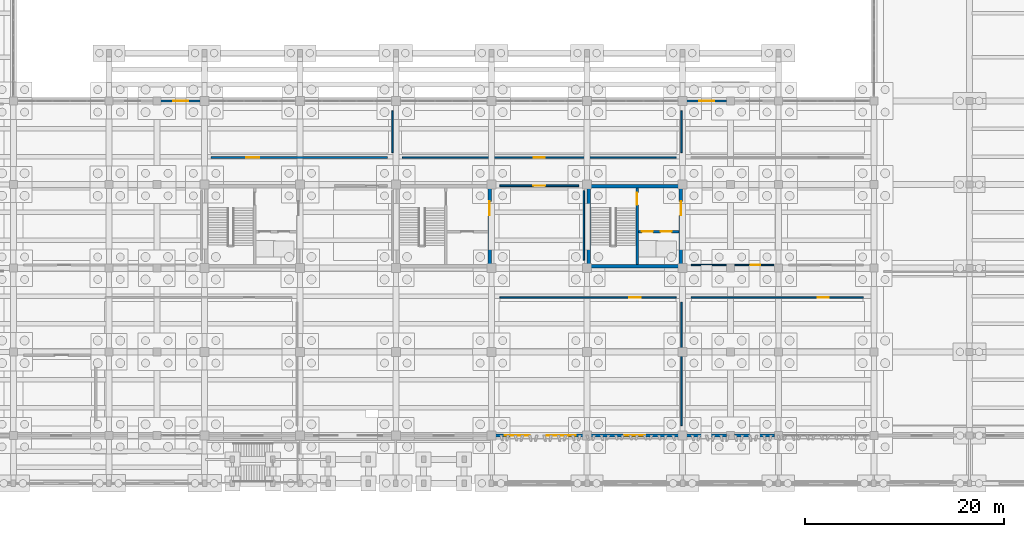
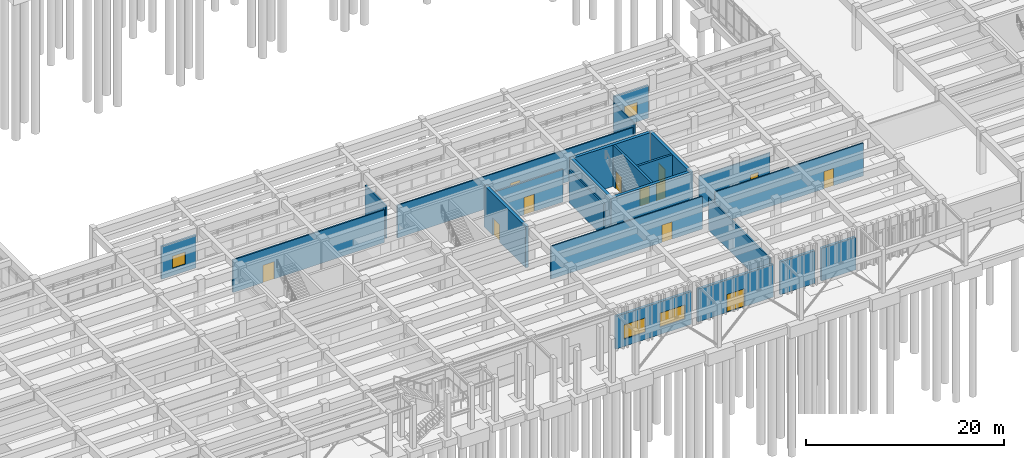
# One storey, part 78 of 102: 23 walls, 12 doors, 4 windows, 16 openings.
"""IFC4 building model written with IfcOpenShell, lengths in metres."""

from ifc_helpers import new_model, si_unit, direction, frame, frame_2d, origin, place, context, subcontext, project, spatial, rectangle, extrude, material, layer, layer_set, type_object, element, fill, save


model = new_model("IFC4")

# Units and contexts
model_context = context("Model", 3, precision=1e-05, world=origin(), true_north=direction((0.0, 1.0)))
body_context = subcontext(model_context, "Body", "Model", "MODEL_VIEW")
ifc_project = project(units=[si_unit("LENGTHUNIT", "METRE"), si_unit("AREAUNIT", "SQUARE_METRE"), si_unit("VOLUMEUNIT", "CUBIC_METRE"), si_unit("PLANEANGLEUNIT", "RADIAN"), si_unit("MASSUNIT", "GRAM", prefix="KILO")], contexts=[model_context])

# Site, building, storey
site_placement = place(None, origin())
site = spatial("IfcSite", under=ifc_project, at=site_placement, CompositionType="ELEMENT")
building_placement = place(site_placement, origin())
building = spatial("IfcBuilding", under=site, at=building_placement, Name="Kolvemor Railside Polytechnic", CompositionType="ELEMENT")
storey_placement = place(building_placement, origin())
storey = spatial("IfcBuildingStorey", under=building, at=storey_placement, Name="L00", CompositionType="ELEMENT", Elevation=0.0)

# Walls
ifc_material_1 = material(Name="Concrete C40/50", Category="concrete")
ifc_layer_1 = layer(ifc_material_1, 0.35009765625, Name="WL-CORE-350")
ifc_layer_set_1 = layer_set([ifc_layer_1], Name="Concrete C40/50")
wall_type_1 = type_object("IfcWallType", Name="WL-CORE-350", PredefinedType="SHEAR", material=ifc_layer_set_1)
for number, where, z_axis, x_axis, name in (
    (1, (105.60009765625, 29.824951171875, 0.0), (0.0, 0.0, 1.0), (1.0, 0.0, 0.0), "CORE-2 North Core Wall L00"),
    (2, (105.60009765625, 21.77490234375, 0.0), (0.0, 0.0, 1.0), (1.0, 0.0, 0.0), "CORE-2 South Core Wall L00"),
):
    element("IfcWall", number, at=place(storey_placement, frame(where, z_axis=z_axis, x_axis=x_axis)), inside=storey, type_object=wall_type_1, Name=name, PredefinedType="SHEAR", context=body_context, shape_type="SweptSolid", body=[
        extrude(rectangle(XDim=9.599853515625, YDim=0.35009765625, at=frame_2d((4.7998046875, 0.0))), origin(), (0.0, 0.0, 1.0), 5.110107421875),
    ])
wall_1_placement = place(storey_placement, frame((105.77490234375, 21.60009765625, 0.0), z_axis=(0.0, 0.0, 1.0), x_axis=(0.0, 1.0, 0.0)))
element("IfcWall", 3, at=wall_1_placement, inside=storey, type_object=wall_type_1, Name="CORE-2 West Core Wall L00", PredefinedType="SHEAR", context=body_context, shape_type="SweptSolid", body=[
    extrude(rectangle(XDim=8.39990234375, YDim=0.35009765625, at=frame_2d((4.199951171875, 0.0))), origin(), (0.0, 0.0, 1.0), 5.110107421875),
])

# Wall, opening, door
wall_2_placement = place(storey_placement, frame((115.02490234375, 21.60009765625, 0.0), z_axis=(0.0, 0.0, 1.0), x_axis=(0.0, 1.0, 0.0)))
wall_2 = element("IfcWall", 4, at=wall_2_placement, inside=storey, type_object=wall_type_1, Name="CORE-2 East Core Wall L00", PredefinedType="SHEAR", context=body_context, shape_type="SweptSolid", body=[
    extrude(rectangle(XDim=8.39990234375, YDim=0.35009765625, at=frame_2d((4.199951171875, 0.0))), origin(), (0.0, 0.0, 1.0), 5.110107421875),
])
opening_1_placement = place(wall_2_placement, frame((5.300048828125, 0.0, 0.0)))
opening_1 = element("IfcOpeningElement", 5, at=opening_1_placement, cuts=wall_2, Name="Opening D-LOB-2-L00", PredefinedType="OPENING", context=body_context, shape_type="SweptSolid", body=[
    extrude(rectangle(XDim=1.39990234375, YDim=2.14990234375, at=frame_2d((0.699951171875, 1.074951171875))), frame((0.0, 0.18505859375, 0.0), z_axis=(0.0, -1.0, 0.0), x_axis=(1.0, 0.0, 0.0)), (0.0, 0.0, 1.0), 0.3701171875),
])
ifc_material_2 = material(Name="Fire-rated hardwood and brushed stainless-steel door", Category="steel")
door_type_1 = type_object("IfcDoorType", Name="DR-FD60-140x215", OperationType="NOTDEFINED", PredefinedType="DOOR", material=ifc_material_2)
door_1_placement = place(opening_1_placement, origin())
door_1 = element("IfcDoor", 6, at=door_1_placement, inside=storey, type_object=door_type_1, Name="Core Lobby Fire Door CORE-2 L00", OperationType="SINGLE_SWING_LEFT", OverallHeight=2.14990234375, OverallWidth=1.39990234375, PredefinedType="DOOR", context=body_context, shape_type="SweptSolid", body=[
    extrude(rectangle(XDim=1.39990234375, YDim=2.14990234375, at=frame_2d((0.699951171875, 1.074951171875))), frame((0.0, 0.02490234375, 0.0), z_axis=(0.0, -1.0, 0.0), x_axis=(1.0, 0.0, 0.0)), (0.0, 0.0, 1.0), 0.050048828125),
])
fill(opening_1, door_1)

wall_3_placement = place(storey_placement, frame((95.824951171875, 21.60009765625, 0.0), z_axis=(0.0, 0.0, 1.0), x_axis=(0.0, 1.0, 0.0)))
wall_3 = element("IfcWall", 7, at=wall_3_placement, inside=storey, type_object=wall_type_1, Name="CORE-3 East Core Wall L00", PredefinedType="SHEAR", context=body_context, shape_type="SweptSolid", body=[
    extrude(rectangle(XDim=8.39990234375, YDim=0.35009765625, at=frame_2d((4.199951171875, 0.0))), origin(), (0.0, 0.0, 1.0), 5.110107421875),
])
opening_2_placement = place(wall_3_placement, frame((5.300048828125, 0.0, 0.0)))
opening_2 = element("IfcOpeningElement", 8, at=opening_2_placement, cuts=wall_3, Name="Opening D-LOB-3-L00", PredefinedType="OPENING", context=body_context, shape_type="SweptSolid", body=[
    extrude(rectangle(XDim=1.39990234375, YDim=2.14990234375, at=frame_2d((0.699951171875, 1.074951171875))), frame((0.0, 0.18505859375, 0.0), z_axis=(0.0, -1.0, 0.0), x_axis=(1.0, 0.0, 0.0)), (0.0, 0.0, 1.0), 0.3701171875),
])
door_2_placement = place(opening_2_placement, origin())
door_2 = element("IfcDoor", 9, at=door_2_placement, inside=storey, type_object=door_type_1, Name="Core Lobby Fire Door CORE-3 L00", OperationType="SINGLE_SWING_LEFT", OverallHeight=2.14990234375, OverallWidth=1.39990234375, PredefinedType="DOOR", context=body_context, shape_type="SweptSolid", body=[
    extrude(rectangle(XDim=1.39990234375, YDim=2.14990234375, at=frame_2d((0.699951171875, 1.074951171875))), frame((0.0, 0.02490234375, 0.0), z_axis=(0.0, -1.0, 0.0), x_axis=(1.0, 0.0, 0.0)), (0.0, 0.0, 1.0), 0.050048828125),
])
fill(opening_2, door_2)

# Wall, openings, windows
ifc_material_3 = material(Name="Concrete C40/50", Category="concrete")
ifc_layer_2 = layer(ifc_material_3, 0.300048828125, Name="WL-EXT-RC-300")
ifc_layer_set_2 = layer_set([ifc_layer_2], Name="Concrete C40/50")
wall_type_2 = type_object("IfcWallType", Name="WL-EXT-RC-300", PredefinedType="SOLIDWALL", material=ifc_layer_set_2)
wall_4_placement = place(storey_placement, frame((96.3798828125, 4.800048828125, 0.0), z_axis=(0.0, 0.0, 1.0), x_axis=(1.0, 0.0, 0.0)))
wall_4 = element("IfcWall", 10, at=wall_4_placement, inside=storey, type_object=wall_type_2, Name="Exterior Wall L00-0096", PredefinedType="SOLIDWALL", context=body_context, shape_type="SweptSolid", body=[
    extrude(rectangle(XDim=8.840087890625, YDim=0.300048828125, at=frame_2d((4.419921875, 0.0))), origin(), (0.0, 0.0, 1.0), 4.0400390625),
])
opening_3_placement = place(wall_4_placement, frame((0.93505859375, 0.0, 0.89990234375)))
opening_3 = element("IfcOpeningElement", 11, at=opening_3_placement, cuts=wall_4, Name="Opening WN-M13", PredefinedType="OPENING", context=body_context, shape_type="SweptSolid", body=[
    extrude(rectangle(XDim=2.550048828125, YDim=1.75, at=frame_2d((1.27490234375, 0.875))), frame((0.0, 0.159912109375, 0.0), z_axis=(0.0, -1.0, 0.0), x_axis=(1.0, 0.0, 0.0)), (0.0, 0.0, 1.0), 0.320068359375),
])
opening_4_placement = place(wall_4_placement, frame((5.179931640625, 0.0, 0.89990234375)))
opening_4 = element("IfcOpeningElement", 12, at=opening_4_placement, cuts=wall_4, Name="Opening WN-M24", PredefinedType="OPENING", context=body_context, shape_type="SweptSolid", body=[
    extrude(rectangle(XDim=2.89990234375, YDim=1.75, at=frame_2d((1.449951171875, 0.875))), frame((0.0, 0.159912109375, 0.0), z_axis=(0.0, -1.0, 0.0), x_axis=(1.0, 0.0, 0.0)), (0.0, 0.0, 1.0), 0.320068359375),
])
ifc_material_4 = material(Name="Hurricane-laminated thermally broken aluminium window", Category="aluminium")
window_type_1 = type_object("IfcWindowType", Name="WN-MOD-255x175", PartitioningType="DOUBLE_PANEL_VERTICAL", PredefinedType="WINDOW", material=ifc_material_4)
window_1_placement = place(opening_3_placement, origin())
window_1 = element("IfcWindow", 13, at=window_1_placement, inside=storey, type_object=window_type_1, Name="Window L00-0098", OverallHeight=1.75, OverallWidth=2.550048828125, PartitioningType="SINGLE_PANEL", PredefinedType="WINDOW", context=body_context, shape_type="SweptSolid", body=[
    extrude(rectangle(XDim=2.550048828125, YDim=1.75, at=frame_2d((1.27490234375, 0.875))), frame((0.0, 0.030029296875, 0.0), z_axis=(0.0, -1.0, 0.0), x_axis=(1.0, 0.0, 0.0)), (0.0, 0.0, 1.0), 0.06005859375),
])
fill(opening_3, window_1)
ifc_material_5 = material(Name="Hurricane-laminated thermally broken aluminium window", Category="aluminium")
window_type_2 = type_object("IfcWindowType", Name="WN-MOD-290x175", PartitioningType="DOUBLE_PANEL_VERTICAL", PredefinedType="WINDOW", material=ifc_material_5)
window_2_placement = place(opening_4_placement, origin())
window_2 = element("IfcWindow", 14, at=window_2_placement, inside=storey, type_object=window_type_2, Name="Window L00-0099", OverallHeight=1.75, OverallWidth=2.89990234375, PartitioningType="SINGLE_PANEL", PredefinedType="WINDOW", context=body_context, shape_type="SweptSolid", body=[
    extrude(rectangle(XDim=2.89990234375, YDim=1.75, at=frame_2d((1.449951171875, 0.875))), frame((0.0, 0.030029296875, 0.0), z_axis=(0.0, -1.0, 0.0), x_axis=(1.0, 0.0, 0.0)), (0.0, 0.0, 1.0), 0.06005859375),
])
fill(opening_4, window_2)

# Wall, opening, door
wall_5_placement = place(storey_placement, frame((105.97998046875, 4.800048828125, 0.0), z_axis=(0.0, 0.0, 1.0), x_axis=(1.0, 0.0, 0.0)))
wall_5 = element("IfcWall", 15, at=wall_5_placement, inside=storey, type_object=wall_type_2, Name="Exterior Wall L00-0097", PredefinedType="SOLIDWALL", context=body_context, shape_type="SweptSolid", body=[
    extrude(rectangle(XDim=8.840087890625, YDim=0.300048828125, at=frame_2d((4.419921875, 0.0))), origin(), (0.0, 0.0, 1.0), 4.0400390625),
])
opening_5_placement = place(wall_5_placement, frame((3.3701171875, 0.0, 0.0)))
opening_5 = element("IfcOpeningElement", 16, at=opening_5_placement, cuts=wall_5, Name="Opening EX-14", PredefinedType="OPENING", context=body_context, shape_type="SweptSolid", body=[
    extrude(rectangle(XDim=2.10009765625, YDim=2.199951171875, at=frame_2d((1.050048828125, 1.10009765625))), frame((0.0, 0.159912109375, 0.0), z_axis=(0.0, -1.0, 0.0), x_axis=(1.0, 0.0, 0.0)), (0.0, 0.0, 1.0), 0.320068359375),
])
ifc_material_6 = material(Name="Marine-grade thermally broken aluminium and laminated glass door", Category="aluminium")
door_type_2 = type_object("IfcDoorType", Name="DR-EXIT-210x220", OperationType="NOTDEFINED", PredefinedType="DOOR", material=ifc_material_6)
door_3_placement = place(opening_5_placement, origin())
door_3 = element("IfcDoor", 17, at=door_3_placement, inside=storey, type_object=door_type_2, Name="Exterior Door EX-14", OperationType="SINGLE_SWING_RIGHT", OverallHeight=2.199951171875, OverallWidth=2.10009765625, PredefinedType="DOOR", context=body_context, shape_type="SweptSolid", body=[
    extrude(rectangle(XDim=2.10009765625, YDim=2.199951171875, at=frame_2d((1.050048828125, 1.10009765625))), frame((0.0, 0.02490234375, 0.0), z_axis=(0.0, -1.0, 0.0), x_axis=(1.0, 0.0, 0.0)), (0.0, 0.0, 1.0), 0.050048828125),
])
fill(opening_5, door_3)

# Walls
for number, where, z_axis, x_axis, name in (
    (18, (115.580078125, 4.800048828125, 0.0), (0.0, 0.0, 1.0), (1.0, 0.0, 0.0), "Exterior Wall L00-0098"),
    (19, (120.3798828125, 4.800048828125, 0.0), (0.0, 0.0, 1.0), (1.0, 0.0, 0.0), "Exterior Wall L00-0099"),
):
    element("IfcWall", number, at=place(storey_placement, frame(where, z_axis=z_axis, x_axis=x_axis)), inside=storey, type_object=wall_type_2, Name=name, PredefinedType="SOLIDWALL", context=body_context, shape_type="SweptSolid", body=[
        extrude(rectangle(XDim=4.0400390625, YDim=0.300048828125, at=frame_2d((2.02001953125, 0.0))), origin(), (0.0, 0.0, 1.0), 4.0400390625),
    ])

# Wall, opening, window
ifc_material_7 = material(Name="Cross-laminated timber CLT E1", Category="wood")
ifc_layer_3 = layer(ifc_material_7, 0.2099609375, Name="WL-EXT-TM-210")
ifc_layer_set_3 = layer_set([ifc_layer_3], Name="Cross-laminated timber CLT E1")
wall_type_3 = type_object("IfcWallType", Name="WL-EXT-TM-210", PredefinedType="SOLIDWALL", material=ifc_layer_set_3)
wall_6_placement = place(storey_placement, frame((66.820068359375, 38.39990234375, 0.0), z_axis=(0.0, 0.0, 1.0), x_axis=(-1.0, 0.0, 0.0)))
wall_6 = element("IfcWall", 20, at=wall_6_placement, inside=storey, type_object=wall_type_3, Name="Exterior Wall L00-0145", PredefinedType="SOLIDWALL", context=body_context, shape_type="SweptSolid", body=[
    extrude(rectangle(XDim=4.0400390625, YDim=0.2099609375, at=frame_2d((2.02001953125, 0.0))), origin(), (0.0, 0.0, 1.0), 4.0400390625),
])
opening_6_placement = place(wall_6_placement, frame((1.27001953125, 0.0, 0.89990234375)))
opening_6 = element("IfcOpeningElement", 21, at=opening_6_placement, cuts=wall_6, Name="Opening WN-LAB4", PredefinedType="OPENING", context=body_context, shape_type="SweptSolid", body=[
    extrude(rectangle(XDim=1.5, YDim=1.5, at=frame_2d((0.75, 0.75))), frame((0.0, 0.114990234375, 0.0), z_axis=(0.0, -1.0, 0.0), x_axis=(1.0, 0.0, 0.0)), (0.0, 0.0, 1.0), 0.22998046875),
])
ifc_material_8 = material(Name="Hurricane-laminated thermally broken aluminium window", Category="aluminium")
window_type_3 = type_object("IfcWindowType", Name="WN-LAB-150x150", PartitioningType="SINGLE_PANEL", PredefinedType="WINDOW", material=ifc_material_8)
window_3_placement = place(opening_6_placement, origin())
window_3 = element("IfcWindow", 22, at=window_3_placement, inside=storey, type_object=window_type_3, Name="Window L00-0158", OverallHeight=1.5, OverallWidth=1.5, PartitioningType="SINGLE_PANEL", PredefinedType="WINDOW", context=body_context, shape_type="SweptSolid", body=[
    extrude(rectangle(XDim=1.5, YDim=1.5, at=frame_2d((0.75, 0.75))), frame((0.0, 0.030029296875, 0.0), z_axis=(0.0, -1.0, 0.0), x_axis=(1.0, 0.0, 0.0)), (0.0, 0.0, 1.0), 0.06005859375),
])
fill(opening_6, window_3)

wall_7_placement = place(storey_placement, frame((119.6201171875, 38.39990234375, 0.0), z_axis=(0.0, 0.0, 1.0), x_axis=(-1.0, 0.0, 0.0)))
wall_7 = element("IfcWall", 23, at=wall_7_placement, inside=storey, type_object=wall_type_3, Name="Exterior Wall L00-0146", PredefinedType="SOLIDWALL", context=body_context, shape_type="SweptSolid", body=[
    extrude(rectangle(XDim=4.0400390625, YDim=0.2099609375, at=frame_2d((2.02001953125, 0.0))), origin(), (0.0, 0.0, 1.0), 4.0400390625),
])
opening_7_placement = place(wall_7_placement, frame((1.27001953125, 0.0, 0.89990234375)))
opening_7 = element("IfcOpeningElement", 24, at=opening_7_placement, cuts=wall_7, Name="Opening WN-LAB4", PredefinedType="OPENING", context=body_context, shape_type="SweptSolid", body=[
    extrude(rectangle(XDim=1.5, YDim=1.5, at=frame_2d((0.75, 0.75))), frame((0.0, 0.114990234375, 0.0), z_axis=(0.0, -1.0, 0.0), x_axis=(1.0, 0.0, 0.0)), (0.0, 0.0, 1.0), 0.22998046875),
])
window_4_placement = place(opening_7_placement, origin())
window_4 = element("IfcWindow", 25, at=window_4_placement, inside=storey, type_object=window_type_3, Name="Window L00-0159", OverallHeight=1.5, OverallWidth=1.5, PartitioningType="SINGLE_PANEL", PredefinedType="WINDOW", context=body_context, shape_type="SweptSolid", body=[
    extrude(rectangle(XDim=1.5, YDim=1.5, at=frame_2d((0.75, 0.75))), frame((0.0, 0.030029296875, 0.0), z_axis=(0.0, -1.0, 0.0), x_axis=(1.0, 0.0, 0.0)), (0.0, 0.0, 1.0), 0.06005859375),
])
fill(opening_7, window_4)

# Wall, opening, door
ifc_material_9 = material(Name="Wet-area tile-backer partition")
ifc_layer_4 = layer(ifc_material_9, 0.1201171875, Name="WL-PART-120")
ifc_layer_set_4 = layer_set([ifc_layer_4], Name="Wet-area tile-backer partition")
wall_type_4 = type_object("IfcWallType", Name="WL-PART-120", PredefinedType="PARTITIONING", material=ifc_layer_set_4)
wall_8_placement = place(storey_placement, frame((116.050048828125, 21.919921875, 0.0), z_axis=(0.0, 0.0, 1.0), x_axis=(1.0, 0.0, 0.0)))
wall_8 = element("IfcWall", 26, at=wall_8_placement, inside=storey, type_object=wall_type_4, Name="Partition Wall L00-0054", PredefinedType="PARTITIONING", context=body_context, shape_type="SweptSolid", body=[
    extrude(rectangle(XDim=8.300048828125, YDim=0.1201171875, at=frame_2d((4.14990234375, 0.0))), origin(), (0.0, 0.0, 1.0), 4.0400390625),
])
opening_8_placement = place(wall_8_placement, frame((5.967041015625, 0.0, 0.0)))
opening_8 = element("IfcOpeningElement", 27, at=opening_8_placement, cuts=wall_8, Name="Opening D-00031", PredefinedType="OPENING", context=body_context, shape_type="SweptSolid", body=[
    extrude(rectangle(XDim=0.949951171875, YDim=2.10009765625, at=frame_2d((0.47509765625, 1.050048828125))), frame((0.0, 0.070068359375, 0.0), z_axis=(0.0, -1.0, 0.0), x_axis=(1.0, 0.0, 0.0)), (0.0, 0.0, 1.0), 0.14013671875),
])
ifc_material_10 = material(Name="Solid hardwood acoustic door", Category="wood")
door_type_3 = type_object("IfcDoorType", Name="DR-WC-095x210", OperationType="NOTDEFINED", PredefinedType="DOOR", material=ifc_material_10)
door_4_placement = place(opening_8_placement, origin())
door_4 = element("IfcDoor", 28, at=door_4_placement, inside=storey, type_object=door_type_3, Name="Room Door D-00031 (Main Stack Public WC L00)", OperationType="SINGLE_SWING_RIGHT", OverallHeight=2.10009765625, OverallWidth=0.949951171875, PredefinedType="DOOR", context=body_context, shape_type="SweptSolid", body=[
    extrude(rectangle(XDim=0.949951171875, YDim=2.10009765625, at=frame_2d((0.47509765625, 1.050048828125))), frame((0.0, 0.02490234375, 0.0), z_axis=(0.0, -1.0, 0.0), x_axis=(1.0, 0.0, 0.0)), (0.0, 0.0, 1.0), 0.050048828125),
])
fill(opening_8, door_4)

ifc_material_11 = material(Name="Acoustic studio partition")
ifc_layer_5 = layer(ifc_material_11, 0.14990234375, Name="WL-PART-150")
ifc_layer_set_5 = layer_set([ifc_layer_5], Name="Acoustic studio partition")
wall_type_5 = type_object("IfcWallType", Name="WL-PART-150", PredefinedType="PARTITIONING", material=ifc_layer_set_5)
wall_9_placement = place(storey_placement, frame((96.85009765625, 18.679931640625, 0.0), z_axis=(0.0, 0.0, 1.0), x_axis=(1.0, 0.0, 0.0)))
wall_9 = element("IfcWall", 29, at=wall_9_placement, inside=storey, type_object=wall_type_5, Name="Partition Wall L00-0045", PredefinedType="PARTITIONING", context=body_context, shape_type="SweptSolid", body=[
    extrude(rectangle(XDim=17.699951171875, YDim=0.14990234375, at=frame_2d((8.85009765625, 0.0))), origin(), (0.0, 0.0, 1.0), 4.0400390625),
])
opening_9_placement = place(wall_9_placement, frame((12.97607421875, 0.0, 0.0)))
opening_9 = element("IfcOpeningElement", 30, at=opening_9_placement, cuts=wall_9, Name="Opening D-00026", PredefinedType="OPENING", context=body_context, shape_type="SweptSolid", body=[
    extrude(rectangle(XDim=1.179931640625, YDim=2.14990234375, at=frame_2d((0.58984375, 1.074951171875))), frame((0.0, 0.0849609375, 0.0), z_axis=(0.0, -1.0, 0.0), x_axis=(1.0, 0.0, 0.0)), (0.0, 0.0, 1.0), 0.169921875),
])
ifc_material_12 = material(Name="Solid hardwood acoustic door", Category="wood")
door_type_4 = type_object("IfcDoorType", Name="DR-STU-118x215", OperationType="NOTDEFINED", PredefinedType="DOOR", material=ifc_material_12)
door_5_placement = place(opening_9_placement, origin())
door_5 = element("IfcDoor", 31, at=door_5_placement, inside=storey, type_object=door_type_4, Name="Room Door D-00026 (Industrial Prototyping Design Studio)", OperationType="SINGLE_SWING_LEFT", OverallHeight=2.14990234375, OverallWidth=1.179931640625, PredefinedType="DOOR", context=body_context, shape_type="SweptSolid", body=[
    extrude(rectangle(XDim=1.179931640625, YDim=2.14990234375, at=frame_2d((0.58984375, 1.074951171875))), frame((0.0, 0.02490234375, 0.0), z_axis=(0.0, -1.0, 0.0), x_axis=(1.0, 0.0, 0.0)), (0.0, 0.0, 1.0), 0.050048828125),
])
fill(opening_9, door_5)

# Wall
wall_10_placement = place(storey_placement, frame((115.080078125, 5.800048828125, 0.0), z_axis=(0.0, 0.0, 1.0), x_axis=(0.0, 1.0, 0.0)))
element("IfcWall", 32, at=wall_10_placement, inside=storey, type_object=wall_type_5, Name="Demising Partition L00-0046", PredefinedType="PARTITIONING", context=body_context, shape_type="SweptSolid", body=[
    extrude(rectangle(XDim=12.39990234375, YDim=0.14990234375, at=frame_2d((6.199951171875, 0.0))), origin(), (0.0, 0.0, 1.0), 4.0400390625),
])

# Wall, opening, door
wall_11_placement = place(storey_placement, frame((116.050048828125, 18.679931640625, 0.0), z_axis=(0.0, 0.0, 1.0), x_axis=(1.0, 0.0, 0.0)))
wall_11 = element("IfcWall", 33, at=wall_11_placement, inside=storey, type_object=wall_type_5, Name="Partition Wall L00-0047", PredefinedType="PARTITIONING", context=body_context, shape_type="SweptSolid", body=[
    extrude(rectangle(XDim=17.300048828125, YDim=0.14990234375, at=frame_2d((8.64990234375, 0.0))), origin(), (0.0, 0.0, 1.0), 4.0400390625),
])
opening_10_placement = place(wall_11_placement, frame((12.7041015625, 0.0, 0.0)))
opening_10 = element("IfcOpeningElement", 34, at=opening_10_placement, cuts=wall_11, Name="Opening D-00027", PredefinedType="OPENING", context=body_context, shape_type="SweptSolid", body=[
    extrude(rectangle(XDim=1.1201171875, YDim=2.14990234375, at=frame_2d((0.56005859375, 1.074951171875))), frame((0.0, 0.0849609375, 0.0), z_axis=(0.0, -1.0, 0.0), x_axis=(1.0, 0.0, 0.0)), (0.0, 0.0, 1.0), 0.169921875),
])
ifc_material_13 = material(Name="Solid hardwood acoustic door", Category="wood")
door_type_5 = type_object("IfcDoorType", Name="DR-STU-112x215", OperationType="NOTDEFINED", PredefinedType="DOOR", material=ifc_material_13)
door_6_placement = place(opening_10_placement, origin())
door_6 = element("IfcDoor", 35, at=door_6_placement, inside=storey, type_object=door_type_5, Name="Room Door D-00027 (Architectural Modelmaking Design Studio)", OperationType="SINGLE_SWING_RIGHT", OverallHeight=2.14990234375, OverallWidth=1.1201171875, PredefinedType="DOOR", context=body_context, shape_type="SweptSolid", body=[
    extrude(rectangle(XDim=1.1201171875, YDim=2.14990234375, at=frame_2d((0.56005859375, 1.074951171875))), frame((0.0, 0.02490234375, 0.0), z_axis=(0.0, -1.0, 0.0), x_axis=(1.0, 0.0, 0.0)), (0.0, 0.0, 1.0), 0.050048828125),
])
fill(opening_10, door_6)

wall_12_placement = place(storey_placement, frame((87.050048828125, 32.719970703125, 0.0), z_axis=(0.0, 0.0, 1.0), x_axis=(1.0, 0.0, 0.0)))
wall_12 = element("IfcWall", 36, at=wall_12_placement, inside=storey, type_object=wall_type_5, Name="Partition Wall L00-0058", PredefinedType="PARTITIONING", context=body_context, shape_type="SweptSolid", body=[
    extrude(rectangle(XDim=27.5, YDim=0.14990234375, at=frame_2d((13.75, 0.0))), origin(), (0.0, 0.0, 1.0), 4.0400390625),
])
opening_11_placement = place(wall_12_placement, frame((13.18994140625, 0.0, 0.0)))
opening_11 = element("IfcOpeningElement", 37, at=opening_11_placement, cuts=wall_12, Name="Opening D-00034", PredefinedType="OPENING", context=body_context, shape_type="SweptSolid", body=[
    extrude(rectangle(XDim=1.1201171875, YDim=2.14990234375, at=frame_2d((0.56005859375, 1.074951171875))), frame((0.0, 0.0849609375, 0.0), z_axis=(0.0, -1.0, 0.0), x_axis=(1.0, 0.0, 0.0)), (0.0, 0.0, 1.0), 0.169921875),
])
door_7_placement = place(opening_11_placement, origin())
door_7 = element("IfcDoor", 38, at=door_7_placement, inside=storey, type_object=door_type_5, Name="Room Door D-00034 (Exhibition and Critique Design Studio)", OperationType="SINGLE_SWING_LEFT", OverallHeight=2.14990234375, OverallWidth=1.1201171875, PredefinedType="DOOR", context=body_context, shape_type="SweptSolid", body=[
    extrude(rectangle(XDim=1.1201171875, YDim=2.14990234375, at=frame_2d((0.56005859375, 1.074951171875))), frame((0.0, 0.02490234375, 0.0), z_axis=(0.0, -1.0, 0.0), x_axis=(1.0, 0.0, 0.0)), (0.0, 0.0, 1.0), 0.050048828125),
])
fill(opening_11, door_7)

# Wall
wall_13_placement = place(storey_placement, frame((115.080078125, 33.199951171875, 0.0), z_axis=(0.0, 0.0, 1.0), x_axis=(0.0, 1.0, 0.0)))
element("IfcWall", 39, at=wall_13_placement, inside=storey, type_object=wall_type_5, Name="Demising Partition L00-0059", PredefinedType="PARTITIONING", context=body_context, shape_type="SweptSolid", body=[
    extrude(rectangle(XDim=4.199951171875, YDim=0.14990234375, at=frame_2d((2.10009765625, 0.0))), origin(), (0.0, 0.0, 1.0), 4.0400390625),
])

# Wall, opening, door
ifc_material_14 = material(Name="Fire-rated laboratory corridor partition")
ifc_layer_6 = layer(ifc_material_14, 0.1650390625, Name="WL-PART-165")
ifc_layer_set_6 = layer_set([ifc_layer_6], Name="Fire-rated laboratory corridor partition")
wall_type_6 = type_object("IfcWallType", Name="WL-PART-165", PredefinedType="PARTITIONING", material=ifc_layer_set_6)
wall_14_placement = place(storey_placement, frame((96.85009765625, 29.8798828125, 0.0), z_axis=(0.0, 0.0, 1.0), x_axis=(1.0, 0.0, 0.0)))
wall_14 = element("IfcWall", 40, at=wall_14_placement, inside=storey, type_object=wall_type_6, Name="Partition Wall L00-0052", PredefinedType="PARTITIONING", context=body_context, shape_type="SweptSolid", body=[
    extrude(rectangle(XDim=7.89990234375, YDim=0.1650390625, at=frame_2d((3.949951171875, 0.0))), origin(), (0.0, 0.0, 1.0), 4.0400390625),
])
opening_12_placement = place(wall_14_placement, frame((3.340087890625, 0.0, 0.0)))
opening_12 = element("IfcOpeningElement", 41, at=opening_12_placement, cuts=wall_14, Name="Opening D-00030", PredefinedType="OPENING", context=body_context, shape_type="SweptSolid", body=[
    extrude(rectangle(XDim=1.219970703125, YDim=2.14990234375, at=frame_2d((0.60986328125, 1.074951171875))), frame((0.0, 0.092529296875, 0.0), z_axis=(0.0, -1.0, 0.0), x_axis=(1.0, 0.0, 0.0)), (0.0, 0.0, 1.0), 0.18505859375),
])
ifc_material_15 = material(Name="Fire-rated hardwood and brushed stainless-steel door", Category="steel")
door_type_6 = type_object("IfcDoorType", Name="DR-LAB-122x215", OperationType="NOTDEFINED", PredefinedType="DOOR", material=ifc_material_15)
door_8_placement = place(opening_12_placement, origin())
door_8 = element("IfcDoor", 42, at=door_8_placement, inside=storey, type_object=door_type_6, Name="Room Door D-00030 (Environmental Water Quality Laboratory)", OperationType="SINGLE_SWING_LEFT", OverallHeight=2.14990234375, OverallWidth=1.219970703125, PredefinedType="DOOR", context=body_context, shape_type="SweptSolid", body=[
    extrude(rectangle(XDim=1.219970703125, YDim=2.14990234375, at=frame_2d((0.60986328125, 1.074951171875))), frame((0.0, 0.02490234375, 0.0), z_axis=(0.0, -1.0, 0.0), x_axis=(1.0, 0.0, 0.0)), (0.0, 0.0, 1.0), 0.050048828125),
])
fill(opening_12, door_8)

# Wall
wall_15_placement = place(storey_placement, frame((105.280029296875, 22.39990234375, 0.0), z_axis=(0.0, 0.0, 1.0), x_axis=(0.0, 1.0, 0.0)))
element("IfcWall", 43, at=wall_15_placement, inside=storey, type_object=wall_type_6, Name="Demising Partition L00-0053", PredefinedType="PARTITIONING", context=body_context, shape_type="SweptSolid", body=[
    extrude(rectangle(XDim=7.0, YDim=0.1650390625, at=frame_2d((3.5, 0.0))), origin(), (0.0, 0.0, 1.0), 4.0400390625),
])

# Wall, opening, door
wall_16_placement = place(storey_placement, frame((67.85009765625, 32.719970703125, 0.0), z_axis=(0.0, 0.0, 1.0), x_axis=(1.0, 0.0, 0.0)))
wall_16 = element("IfcWall", 44, at=wall_16_placement, inside=storey, type_object=wall_type_6, Name="Partition Wall L00-0056", PredefinedType="PARTITIONING", context=body_context, shape_type="SweptSolid", body=[
    extrude(rectangle(XDim=17.699951171875, YDim=0.1650390625, at=frame_2d((8.85009765625, 0.0))), origin(), (0.0, 0.0, 1.0), 4.0400390625),
])
opening_13_placement = place(wall_16_placement, frame((3.52001953125, 0.0, 0.0)))
opening_13 = element("IfcOpeningElement", 45, at=opening_13_placement, cuts=wall_16, Name="Opening D-00033", PredefinedType="OPENING", context=body_context, shape_type="SweptSolid", body=[
    extrude(rectangle(XDim=1.300048828125, YDim=2.14990234375, at=frame_2d((0.64990234375, 1.074951171875))), frame((0.0, 0.092529296875, 0.0), z_axis=(0.0, -1.0, 0.0), x_axis=(1.0, 0.0, 0.0)), (0.0, 0.0, 1.0), 0.18505859375),
])
ifc_material_16 = material(Name="Fire-rated hardwood and brushed stainless-steel door", Category="steel")
door_type_7 = type_object("IfcDoorType", Name="DR-LAB-130x215", OperationType="NOTDEFINED", PredefinedType="DOOR", material=ifc_material_16)
door_9_placement = place(opening_13_placement, origin())
door_9 = element("IfcDoor", 46, at=door_9_placement, inside=storey, type_object=door_type_7, Name="Room Door D-00033 (Metrology and Calibration Laboratory)", OperationType="SINGLE_SWING_RIGHT", OverallHeight=2.14990234375, OverallWidth=1.300048828125, PredefinedType="DOOR", context=body_context, shape_type="SweptSolid", body=[
    extrude(rectangle(XDim=1.300048828125, YDim=2.14990234375, at=frame_2d((0.64990234375, 1.074951171875))), frame((0.0, 0.02490234375, 0.0), z_axis=(0.0, -1.0, 0.0), x_axis=(1.0, 0.0, 0.0)), (0.0, 0.0, 1.0), 0.050048828125),
])
fill(opening_13, door_9)

# Wall
wall_17_placement = place(storey_placement, frame((86.080078125, 33.199951171875, 0.0), z_axis=(0.0, 0.0, 1.0), x_axis=(0.0, 1.0, 0.0)))
element("IfcWall", 47, at=wall_17_placement, inside=storey, type_object=wall_type_6, Name="Demising Partition L00-0057", PredefinedType="PARTITIONING", context=body_context, shape_type="SweptSolid", body=[
    extrude(rectangle(XDim=4.199951171875, YDim=0.1650390625, at=frame_2d((2.10009765625, 0.0))), origin(), (0.0, 0.0, 1.0), 4.0400390625),
])

# Wall, opening, door
ifc_material_17 = material(Name="Concrete C40/50", Category="concrete")
ifc_layer_7 = layer(ifc_material_17, 0.25, Name="WL-SHFT-250")
ifc_layer_set_7 = layer_set([ifc_layer_7], Name="Concrete C40/50")
wall_type_7 = type_object("IfcWallType", Name="WL-SHFT-250", PredefinedType="SHEAR", material=ifc_layer_set_7)
wall_18_placement = place(storey_placement, frame((110.625, 29.64990234375, 0.0), z_axis=(0.0, 0.0, 1.0), x_axis=(0.0, -1.0, 0.0)))
wall_18 = element("IfcWall", 48, at=wall_18_placement, inside=storey, type_object=wall_type_7, Name="CORE-2 Stair-Lobby Divider Wall L00", PredefinedType="SHEAR", context=body_context, shape_type="SweptSolid", body=[
    extrude(rectangle(XDim=7.699951171875, YDim=0.25, at=frame_2d((3.85009765625, 0.0))), origin(), (0.0, 0.0, 1.0), 5.110107421875),
])
opening_14_placement = place(wall_18_placement, frame((0.449951171875, 0.0, 0.0)))
opening_14 = element("IfcOpeningElement", 49, at=opening_14_placement, cuts=wall_18, Name="Opening D-ST-2-L00", PredefinedType="OPENING", context=body_context, shape_type="SweptSolid", body=[
    extrude(rectangle(XDim=1.25, YDim=2.14990234375, at=frame_2d((0.625, 1.074951171875))), frame((0.0, 0.135009765625, 0.0), z_axis=(0.0, -1.0, 0.0), x_axis=(1.0, 0.0, 0.0)), (0.0, 0.0, 1.0), 0.27001953125),
])
ifc_material_18 = material(Name="Fire-rated hardwood and brushed stainless-steel door", Category="steel")
door_type_8 = type_object("IfcDoorType", Name="DR-FD90-125x215", OperationType="NOTDEFINED", PredefinedType="DOOR", material=ifc_material_18)
door_10_placement = place(opening_14_placement, origin())
door_10 = element("IfcDoor", 50, at=door_10_placement, inside=storey, type_object=door_type_8, Name="Stair Fire Door ST-2 L00", OperationType="SINGLE_SWING_RIGHT", OverallHeight=2.14990234375, OverallWidth=1.25, PredefinedType="DOOR", context=body_context, shape_type="SweptSolid", body=[
    extrude(rectangle(XDim=1.25, YDim=2.14990234375, at=frame_2d((0.625, 1.074951171875))), frame((0.0, 0.02490234375, 0.0), z_axis=(0.0, -1.0, 0.0), x_axis=(1.0, 0.0, 0.0)), (0.0, 0.0, 1.0), 0.050048828125),
])
fill(opening_14, door_10)

# Wall, openings, doors
wall_19_placement = place(storey_placement, frame((110.75, 25.27490234375, 0.0), z_axis=(0.0, 0.0, 1.0), x_axis=(1.0, 0.0, 0.0)))
wall_19 = element("IfcWall", 51, at=wall_19_placement, inside=storey, type_object=wall_type_7, Name="CORE-2 Lift Shaft Front Wall L00", PredefinedType="SHEAR", context=body_context, shape_type="SweptSolid", body=[
    extrude(rectangle(XDim=4.10009765625, YDim=0.25, at=frame_2d((2.050048828125, 0.0))), origin(), (0.0, 0.0, 1.0), 5.110107421875),
])
opening_15_placement = place(wall_19_placement, frame((0.35009765625, 0.0, 0.0)))
opening_15 = element("IfcOpeningElement", 52, at=opening_15_placement, cuts=wall_19, Name="Opening LD-FL-2-L00", PredefinedType="OPENING", context=body_context, shape_type="SweptSolid", body=[
    extrude(rectangle(XDim=1.10009765625, YDim=2.14990234375, at=frame_2d((0.550048828125, 1.074951171875))), frame((0.0, 0.135009765625, 0.0), z_axis=(0.0, -1.0, 0.0), x_axis=(1.0, 0.0, 0.0)), (0.0, 0.0, 1.0), 0.27001953125),
])
opening_16_placement = place(wall_19_placement, frame((2.25, 0.0, 0.0)))
opening_16 = element("IfcOpeningElement", 53, at=opening_16_placement, cuts=wall_19, Name="Opening LD-PL-2-L00", PredefinedType="OPENING", context=body_context, shape_type="SweptSolid", body=[
    extrude(rectangle(XDim=1.10009765625, YDim=2.14990234375, at=frame_2d((0.550048828125, 1.074951171875))), frame((0.0, 0.135009765625, 0.0), z_axis=(0.0, -1.0, 0.0), x_axis=(1.0, 0.0, 0.0)), (0.0, 0.0, 1.0), 0.27001953125),
])
ifc_material_19 = material(Name="Fire-rated hardwood and brushed stainless-steel door", Category="steel")
door_type_9 = type_object("IfcDoorType", Name="DR-LIFT-110x215", OperationType="SLIDING_TO_LEFT", PredefinedType="DOOR", material=ifc_material_19)
door_11_placement = place(opening_15_placement, origin())
door_11 = element("IfcDoor", 54, at=door_11_placement, inside=storey, type_object=door_type_9, Name="Lift Landing Sliding Door FL-2 L00", OperationType="SLIDING_TO_LEFT", OverallHeight=2.14990234375, OverallWidth=1.10009765625, PredefinedType="DOOR", context=body_context, shape_type="SweptSolid", body=[
    extrude(rectangle(XDim=1.10009765625, YDim=2.14990234375, at=frame_2d((0.550048828125, 1.074951171875))), frame((0.0, 0.02490234375, 0.0), z_axis=(0.0, -1.0, 0.0), x_axis=(1.0, 0.0, 0.0)), (0.0, 0.0, 1.0), 0.050048828125),
])
fill(opening_15, door_11)
door_12_placement = place(opening_16_placement, origin())
door_12 = element("IfcDoor", 55, at=door_12_placement, inside=storey, type_object=door_type_9, Name="Lift Landing Sliding Door PL-2 L00", OperationType="SLIDING_TO_LEFT", OverallHeight=2.14990234375, OverallWidth=1.10009765625, PredefinedType="DOOR", context=body_context, shape_type="SweptSolid", body=[
    extrude(rectangle(XDim=1.10009765625, YDim=2.14990234375, at=frame_2d((0.550048828125, 1.074951171875))), frame((0.0, 0.02490234375, 0.0), z_axis=(0.0, -1.0, 0.0), x_axis=(1.0, 0.0, 0.0)), (0.0, 0.0, 1.0), 0.050048828125),
])
fill(opening_16, door_12)

save(model, "model.ifc")
